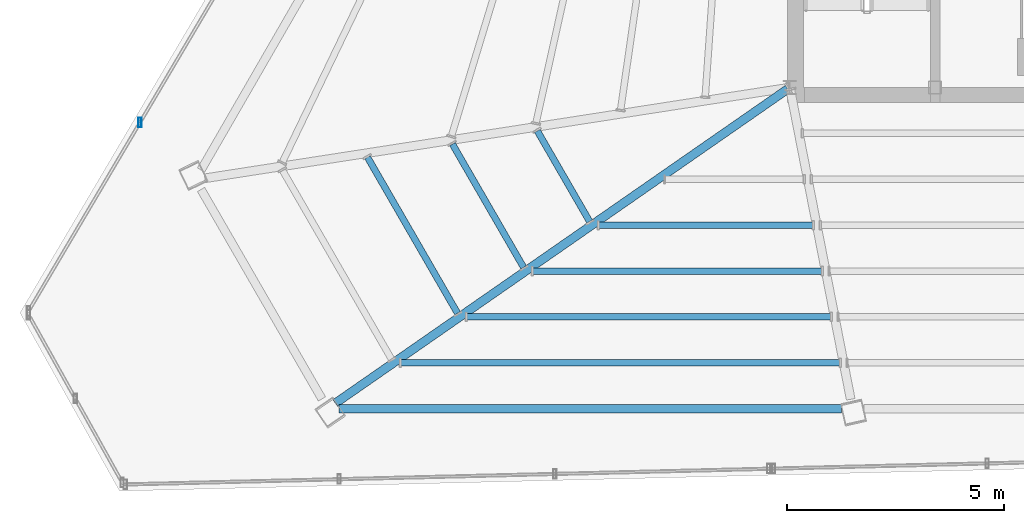
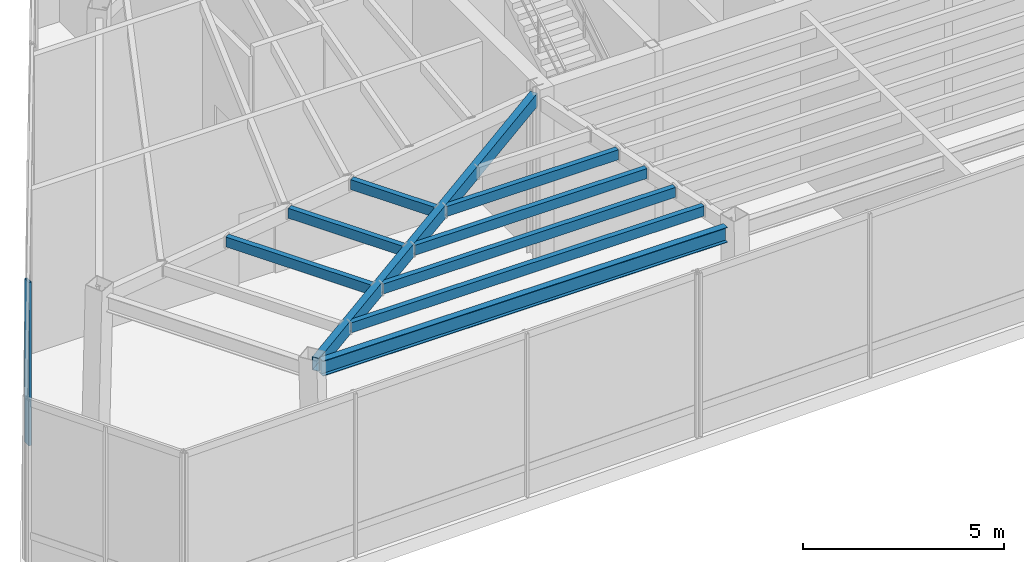
# One storey, part 4 of 25: 9 beams, 1 member, 1 element without a shape of its own.
"""IFC4 building model written with IfcOpenShell, lengths in metres."""

from ifc_helpers import new_model, si_unit, direction, frame, origin, origin_2d, place, context, subcontext, project, spatial, hollow_rectangle, i_section, extrude, source, transform, mapped, material, material_profile, profile_set, type_object, type_shapes, element, aggregate, save


model = new_model("IFC4")

# Units and contexts
model_context = context("Model", 3, precision=1e-05, world=origin(), true_north=direction((0.0, 1.0)))
body_context = subcontext(model_context, "Body", "Model", "MODEL_VIEW")
ifc_project = project(units=[si_unit("LENGTHUNIT", "METRE"), si_unit("AREAUNIT", "SQUARE_METRE"), si_unit("VOLUMEUNIT", "CUBIC_METRE"), si_unit("PLANEANGLEUNIT", "RADIAN"), si_unit("MASSUNIT", "GRAM", prefix="KILO")], contexts=[model_context])

# Site, building, storey
site_placement = place(None, origin())
site = spatial("IfcSite", under=ifc_project, at=site_placement, CompositionType="ELEMENT")
building_placement = place(site_placement, origin())
building = spatial("IfcBuilding", under=site, at=building_placement, Name="Caelisora Broadcast Tower", CompositionType="ELEMENT")
storey_placement = place(building_placement, frame((0.0, 0.0, 284.60009765625)))
storey = spatial("IfcBuildingStorey", under=building, at=storey_placement, Name="L75", CompositionType="ELEMENT", Elevation=284.60009765625)

# Beams
ifc_material_1 = material(Name="Steel Grade 350 (AS/NZS 3679.1)", Category="steel")
ifc_material_profile_1 = material_profile(ifc_material_1, i_section(OverallWidth=0.19091796875, OverallDepth=0.46044921875, WebThickness=0.010009765625, FlangeThickness=0.01611328125, at=origin_2d()), Name="Steel Grade 350 (AS/NZS 3679.1)")
ifc_profile_set_1 = profile_set([ifc_material_profile_1], Name="Steel Grade 350 (AS/NZS 3679.1)")
beam_type_1 = type_object("IfcBeamType", Name="PG06", PredefinedType="BEAM", material=ifc_profile_set_1)
shared_shape_1 = source(origin(), body_context, "Body", "SweptSolid", [
    extrude(i_section(OverallWidth=0.19091796875, OverallDepth=0.46044921875, WebThickness=0.010009765625, FlangeThickness=0.01611328125, at=origin_2d()), origin(), (0.0, 0.0, 1.0), 11.589111328125),
])
type_shapes(beam_type_1, [shared_shape_1])
beam_1_placement = place(storey_placement, frame((20.09619140625, 9.993408203125, 4.7197265625), z_axis=(1.0, 0.0, 0.0), x_axis=(0.0, 1.0, 0.0)))
element("IfcBeam", 1, at=beam_1_placement, inside=storey, type_object=beam_type_1, Name="L75 beam PG06", PredefinedType="BEAM", context=body_context, shape_type="MappedRepresentation", body=[
    mapped(shared_shape_1, transform((0.0, 0.0, 0.0), scale=1.0)),
])
ifc_material_2 = material(Name="Steel Grade 350 (AS/NZS 1163 C350L0)", Category="steel")
ifc_material_profile_2 = material_profile(ifc_material_2, hollow_rectangle(XDim=0.199951171875, YDim=0.39990234375, WallThickness=0.012451171875, at=origin_2d()), Name="Steel Grade 350 (AS/NZS 1163 C350L0)")
ifc_profile_set_2 = profile_set([ifc_material_profile_2], Name="Steel Grade 350 (AS/NZS 1163 C350L0)")
beam_type_2 = type_object("IfcBeamType", Name="PG07", PredefinedType="BEAM", material=ifc_profile_set_2)
shared_shape_2 = source(origin(), body_context, "Body", "SweptSolid", [
    extrude(hollow_rectangle(XDim=0.199951171875, YDim=0.39990234375, WallThickness=0.012451171875, at=origin_2d()), origin(), (0.0, 0.0, 1.0), 12.703369140625),
])
type_shapes(beam_type_2, [shared_shape_2])
beam_2_placement = place(storey_placement, frame((30.45068359375, 17.36572265625, 4.75), z_axis=(-0.821322942022, -0.570463517597, 0.0), x_axis=(0.570463517597, -0.821322942022, 0.0)))
element("IfcBeam", 2, at=beam_2_placement, inside=storey, type_object=beam_type_2, Name="L75 beam PG07", PredefinedType="BEAM", context=body_context, shape_type="MappedRepresentation", body=[
    mapped(shared_shape_2, transform((0.0, 0.0, 0.0), scale=1.0)),
])
ifc_material_profile_3 = material_profile(ifc_material_2, hollow_rectangle(XDim=0.14990234375, YDim=0.300048828125, WallThickness=0.010009765625, at=origin_2d()), Name="Steel Grade 350 (AS/NZS 1163 C350L0)")
ifc_profile_set_3 = profile_set([ifc_material_profile_3], Name="Steel Grade 350 (AS/NZS 1163 C350L0)")
beam_type_3 = type_object("IfcBeamType", Name="SB05", PredefinedType="JOIST", material=ifc_profile_set_3)
shared_shape_3 = source(origin(), body_context, "Body", "SweptSolid", [
    extrude(hollow_rectangle(XDim=0.14990234375, YDim=0.300048828125, WallThickness=0.010009765625, at=origin_2d()), origin(), (0.0, 0.0, 1.0), 2.4111328125),
])
beam_3_placement = place(storey_placement, frame((24.675537109375, 16.398193359375, 4.7998046875), z_axis=(0.499994163758, -0.866028773314, 0.0), x_axis=(0.866028773314, 0.499994163758, 0.0)))
element("IfcBeam", 3, at=beam_3_placement, inside=storey, type_object=beam_type_3, Name="L75 beam SB05", PredefinedType="JOIST", context=body_context, shape_type="MappedRepresentation", body=[
    mapped(shared_shape_3, transform((0.0, 0.0, 0.0), scale=1.0)),
])
shared_shape_4 = source(origin(), body_context, "Body", "SweptSolid", [
    extrude(hollow_rectangle(XDim=0.14990234375, YDim=0.300048828125, WallThickness=0.010009765625, at=origin_2d()), origin(), (0.0, 0.0, 1.0), 3.281982421875),
])
beam_4_placement = place(storey_placement, frame((22.716796875, 16.09423828125, 4.7998046875), z_axis=(0.500027234542, -0.866009679343, 0.0), x_axis=(0.866009679343, 0.500027234542, 0.0)))
element("IfcBeam", 4, at=beam_4_placement, inside=storey, type_object=beam_type_3, Name="L75 beam SB05", PredefinedType="JOIST", context=body_context, shape_type="MappedRepresentation", body=[
    mapped(shared_shape_4, transform((0.0, 0.0, 0.0), scale=1.0)),
])
shared_shape_5 = source(origin(), body_context, "Body", "SweptSolid", [
    extrude(hollow_rectangle(XDim=0.14990234375, YDim=0.300048828125, WallThickness=0.010009765625, at=origin_2d()), origin(), (0.0, 0.0, 1.0), 4.153076171875),
])
beam_5_placement = place(storey_placement, frame((20.758056640625, 15.79052734375, 4.7998046875), z_axis=(0.499976889528, -0.866038746211, 0.0), x_axis=(0.866038746211, 0.499976889528, 0.0)))
element("IfcBeam", 5, at=beam_5_placement, inside=storey, type_object=beam_type_3, Name="L75 beam SB05", PredefinedType="JOIST", context=body_context, shape_type="MappedRepresentation", body=[
    mapped(shared_shape_5, transform((0.0, 0.0, 0.0), scale=1.0)),
])
shared_shape_6 = source(origin(), body_context, "Body", "SweptSolid", [
    extrude(hollow_rectangle(XDim=0.14990234375, YDim=0.300048828125, WallThickness=0.010009765625, at=origin_2d()), origin(), (0.0, 0.0, 1.0), 4.91845703125),
])
beam_6_placement = place(storey_placement, frame((26.10205078125, 14.225830078125, 4.7998046875), z_axis=(1.0, 0.0, 0.0), x_axis=(0.0, 1.0, 0.0)))
element("IfcBeam", 6, at=beam_6_placement, inside=storey, type_object=beam_type_3, Name="L75 beam SB05", PredefinedType="JOIST", context=body_context, shape_type="MappedRepresentation", body=[
    mapped(shared_shape_6, transform((0.0, 0.0, 0.0), scale=1.0)),
])
shared_shape_7 = source(origin(), body_context, "Body", "SweptSolid", [
    extrude(hollow_rectangle(XDim=0.14990234375, YDim=0.300048828125, WallThickness=0.010009765625, at=origin_2d()), origin(), (0.0, 0.0, 1.0), 6.648193359375),
])
beam_7_placement = place(storey_placement, frame((24.578857421875, 13.167724609375, 4.7998046875), z_axis=(1.0, 0.0, 0.0), x_axis=(0.0, 1.0, 0.0)))
element("IfcBeam", 7, at=beam_7_placement, inside=storey, type_object=beam_type_3, Name="L75 beam SB05", PredefinedType="JOIST", context=body_context, shape_type="MappedRepresentation", body=[
    mapped(shared_shape_7, transform((0.0, 0.0, 0.0), scale=1.0)),
])
shared_shape_8 = source(origin(), body_context, "Body", "SweptSolid", [
    extrude(hollow_rectangle(XDim=0.14990234375, YDim=0.300048828125, WallThickness=0.010009765625, at=origin_2d()), origin(), (0.0, 0.0, 1.0), 8.378173828125),
])
beam_8_placement = place(storey_placement, frame((23.055419921875, 12.109619140625, 4.7998046875), z_axis=(1.0, 0.0, 0.0), x_axis=(0.0, 1.0, 0.0)))
element("IfcBeam", 8, at=beam_8_placement, inside=storey, type_object=beam_type_3, Name="L75 beam SB05", PredefinedType="JOIST", context=body_context, shape_type="MappedRepresentation", body=[
    mapped(shared_shape_8, transform((0.0, 0.0, 0.0), scale=1.0)),
])
shared_shape_9 = source(origin(), body_context, "Body", "SweptSolid", [
    extrude(hollow_rectangle(XDim=0.14990234375, YDim=0.300048828125, WallThickness=0.010009765625, at=origin_2d()), origin(), (0.0, 0.0, 1.0), 10.10791015625),
])
type_shapes(beam_type_3, [shared_shape_3, shared_shape_4, shared_shape_5, shared_shape_6, shared_shape_7, shared_shape_8, shared_shape_9])
beam_9_placement = place(storey_placement, frame((21.531982421875, 11.051513671875, 4.7998046875), z_axis=(1.0, 0.0, 0.0), x_axis=(0.0, 1.0, 0.0)))
element("IfcBeam", 9, at=beam_9_placement, inside=storey, type_object=beam_type_3, Name="L75 beam SB05", PredefinedType="JOIST", context=body_context, shape_type="MappedRepresentation", body=[
    mapped(shared_shape_9, transform((0.0, 0.0, 0.0), scale=1.0)),
])

# Curtain wall, member
ifc_material_3 = material(Name="Unitised Aluminium and Low-E Glass Curtain Wall", Category="glass")
curtain_wall_type = type_object("IfcCurtainWallType", Name="CW-TMD", PredefinedType="NOTDEFINED", material=ifc_material_3)
curtain_wall_placement = place(storey_placement, origin())
curtain_wall = element("IfcCurtainWall", 10, at=curtain_wall_placement, inside=storey, type_object=curtain_wall_type, Name="L75 curtain wall CW-TMD", PredefinedType="NOTDEFINED")
ifc_material_4 = material(Name="Aluminium 6063-T6 Anodised Terracotta Bronze", Category="aluminium")
ifc_material_profile_4 = material_profile(ifc_material_4, hollow_rectangle(XDim=0.074951171875, YDim=0.219970703125, WallThickness=0.00390625, at=origin_2d()), Name="Aluminium 6063-T6 Anodised Terracotta Bronze")
ifc_profile_set_4 = profile_set([ifc_material_profile_4], Name="Aluminium 6063-T6 Anodised Terracotta Bronze")
member_type = type_object("IfcMemberType", Name="CWM-01", PredefinedType="MULLION", material=ifc_profile_set_4)
shared_shape_10 = source(origin(), body_context, "Body", "SweptSolid", [
    extrude(hollow_rectangle(XDim=0.074951171875, YDim=0.219970703125, WallThickness=0.00390625, at=origin_2d()), origin(), (0.0, 0.0, 1.0), 4.949951171875),
])
type_shapes(member_type, [shared_shape_10])
member_placement = place(storey_placement, frame((15.510498046875, 16.59375, 0.0), z_axis=(0.0, 0.0, 1.0), x_axis=(1.0, 0.0, 0.0)))
member = element("IfcMember", 11, at=member_placement, type_object=member_type, Name="L75-CW-B09 mullion #1", PredefinedType="MULLION", context=body_context, shape_type="MappedRepresentation", body=[
    mapped(shared_shape_10, transform((0.0, 0.0, 0.0), scale=1.0)),
])
aggregate(curtain_wall, [member])

save(model, "model.ifc")
